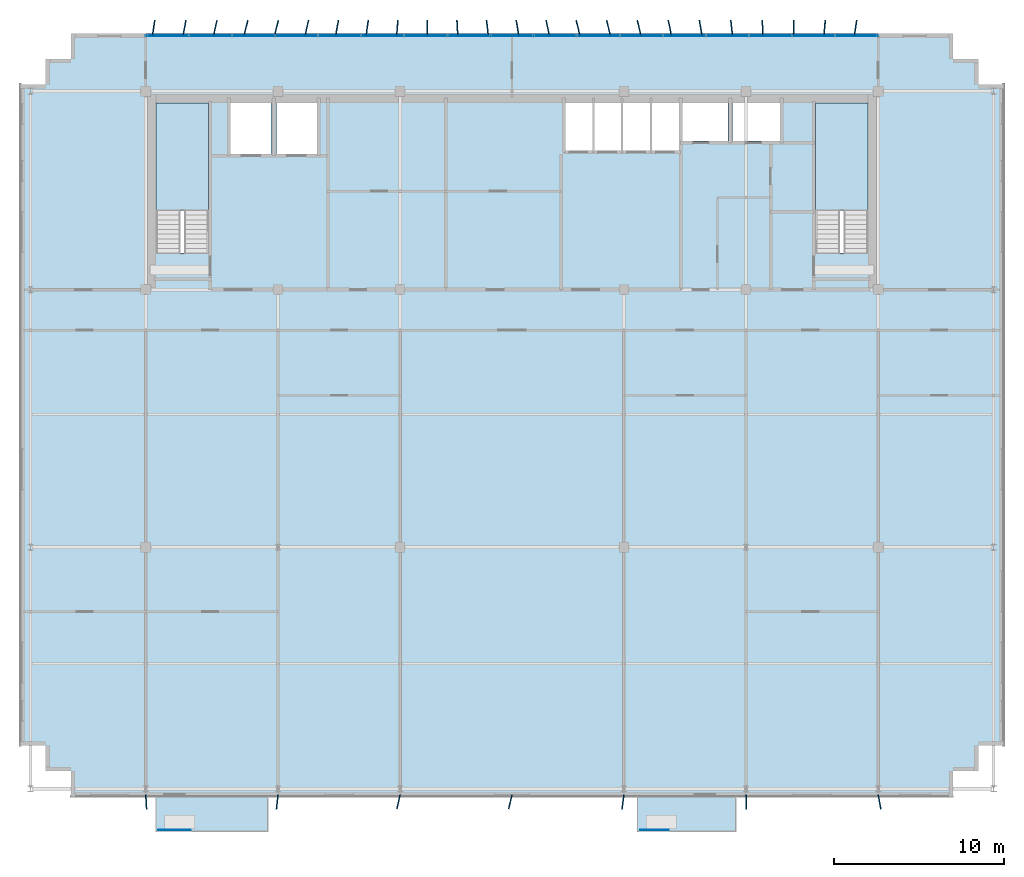
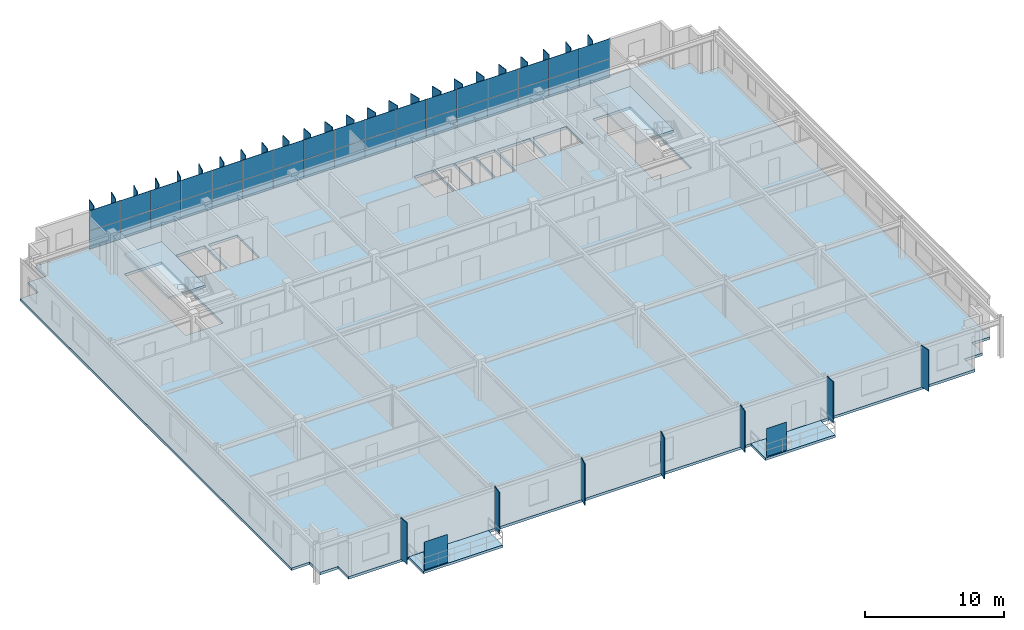
# One storey, part 15 of 21: 67 plates, 5 slabs, 3 elements without a shape of their own.
"""IFC4 building model written with IfcOpenShell, lengths in metres."""

from ifc_helpers import new_model, si_unit, direction, frame, origin, origin_2d, place, context, subcontext, project, spatial, polyline, rectangle, outline, extrude, source, transform, mapped, material, layer, layer_set, type_object, element, aggregate, save


model = new_model("IFC4")

# Units and contexts
model_context = context("Model", 3, precision=1e-05, world=origin(), true_north=direction((0.0, 1.0)))
body_context = subcontext(model_context, "Body", "Model", "MODEL_VIEW")
ifc_project = project(units=[si_unit("LENGTHUNIT", "METRE"), si_unit("AREAUNIT", "SQUARE_METRE"), si_unit("VOLUMEUNIT", "CUBIC_METRE"), si_unit("PLANEANGLEUNIT", "RADIAN"), si_unit("MASSUNIT", "GRAM", prefix="KILO")], contexts=[model_context])

# Site, building, storey
site_placement = place(None, origin())
site = spatial("IfcSite", under=ifc_project, at=site_placement, CompositionType="ELEMENT")
building_placement = place(site_placement, origin())
building = spatial("IfcBuilding", under=site, at=building_placement, Name="Trelvane Seafront Commons", CompositionType="ELEMENT")
storey_placement = place(building_placement, frame((0.0, 0.0, 252.300048828125)))
storey = spatial("IfcBuildingStorey", under=building, at=storey_placement, Name="L65", CompositionType="ELEMENT", Elevation=252.300048828125)

# Slabs
ifc_material_1 = material(Name="Concrete C40/50", Category="concrete")
ifc_layer_1 = layer(ifc_material_1, 0.219970703125, Name="ARCH-BALC-220")
ifc_layer_set_1 = layer_set([ifc_layer_1], Name="Concrete C40/50")
slab_type_1 = type_object("IfcSlabType", Name="ARCH-BALC-220", PredefinedType="FLOOR", material=ifc_layer_set_1)
slab_1_placement = place(storey_placement, frame((0.0, 0.0, -0.219970703125)))
element("IfcSlab", 1, at=slab_1_placement, inside=storey, type_object=slab_type_1, Name="L65 Cantilevered Tree Balcony Loggia 1", PredefinedType="FLOOR", context=body_context, shape_type="SweptSolid", body=[
    extrude(outline(polyline([(16.199951171875, 1.39990234375), (22.800048828125, 1.39990234375), (22.800048828125, 3.5), (16.199951171875, 3.5), (16.199951171875, 1.39990234375)])), origin(), (0.0, 0.0, 1.0), 0.219970703125),
])
slab_2_placement = place(storey_placement, frame((0.0, 0.0, -0.219970703125)))
element("IfcSlab", 2, at=slab_2_placement, inside=storey, type_object=slab_type_1, Name="L65 Cantilevered Tree Balcony Loggia 2", PredefinedType="FLOOR", context=body_context, shape_type="SweptSolid", body=[
    extrude(outline(polyline([(44.60009765625, 1.39990234375), (50.39990234375, 1.39990234375), (50.39990234375, 3.5), (44.60009765625, 3.5), (44.60009765625, 1.39990234375)])), origin(), (0.0, 0.0, 1.0), 0.219970703125),
])

# Stair, slab
stair_type_1 = type_object("IfcStairType", Name="ARCH-STR-ST-1-R20-180", PredefinedType="HALF_TURN_STAIR", material=ifc_material_1)
stair_1_placement = place(storey_placement, origin())
stair_1 = element("IfcStair", 3, at=stair_1_placement, inside=storey, type_object=stair_type_1, Name="L65 West Protected Firefighting Exit Stair ST-1", PredefinedType="HALF_TURN_STAIR")
ifc_layer_2 = layer(ifc_material_1, 0.199951171875, Name="ARCH-LND-200")
ifc_layer_set_2 = layer_set([ifc_layer_2], Name="Concrete C40/50")
slab_type_2 = type_object("IfcSlabType", Name="ARCH-LND-200", PredefinedType="LANDING", material=ifc_layer_set_2)
slab_3_placement = place(storey_placement, frame((0.0, 0.0, 1.599853515625)))
slab_3 = element("IfcSlab", 4, at=slab_3_placement, type_object=slab_type_2, Name="ST-1 landing 1", PredefinedType="LANDING", context=body_context, shape_type="SweptSolid", body=[
    extrude(outline(polyline([(19.300048828125, 38.070068359375), (19.300048828125, 44.39990234375), (16.199951171875, 44.39990234375), (16.199951171875, 38.070068359375), (19.300048828125, 38.070068359375)])), origin(), (0.0, 0.0, 1.0), 0.2001953125),
])
aggregate(stair_1, [slab_3])

stair_type_2 = type_object("IfcStairType", Name="ARCH-STR-ST-2-R20-180", PredefinedType="HALF_TURN_STAIR", material=ifc_material_1)
stair_2_placement = place(storey_placement, origin())
stair_2 = element("IfcStair", 5, at=stair_2_placement, inside=storey, type_object=stair_type_2, Name="L65 East Protected Firefighting Exit Stair ST-2", PredefinedType="HALF_TURN_STAIR")
slab_4_placement = place(storey_placement, frame((0.0, 0.0, 1.599853515625)))
slab_4 = element("IfcSlab", 6, at=slab_4_placement, type_object=slab_type_2, Name="ST-2 landing 1", PredefinedType="LANDING", context=body_context, shape_type="SweptSolid", body=[
    extrude(outline(polyline([(58.199951171875, 38.070068359375), (58.199951171875, 44.39990234375), (55.10009765625, 44.39990234375), (55.10009765625, 38.070068359375), (58.199951171875, 38.070068359375)])), origin(), (0.0, 0.0, 1.0), 0.2001953125),
])
aggregate(stair_2, [slab_4])

# Slab
ifc_material_2 = material(Name="Concrete C50/60", Category="concrete")
ifc_layer_3 = layer(ifc_material_2, 0.22998046875, Name="STR-SLB-Z5-230")
ifc_layer_set_3 = layer_set([ifc_layer_3], Name="Concrete C50/60")
slab_type_3 = type_object("IfcSlabType", Name="STR-SLB-Z5-230", PredefinedType="FLOOR", material=ifc_layer_set_3)
slab_5_placement = place(storey_placement, frame((0.0, 0.0, -0.22998046875)))
element("IfcSlab", 7, at=slab_5_placement, inside=storey, type_object=slab_type_3, Name="L65 Structural Floor Slab", PredefinedType="FLOOR", context=body_context, shape_type="SweptSolid", body=[
    extrude(outline(polyline([(11.199951171875, 3.5), (63.199951171875, 3.5), (63.199951171875, 5.0), (64.699951171875, 5.0), (64.699951171875, 6.5), (66.199951171875, 6.5), (66.199951171875, 45.5), (64.699951171875, 45.5), (64.699951171875, 47.0), (63.199951171875, 47.0), (63.199951171875, 48.5), (11.199951171875, 48.5), (11.199951171875, 47.0), (9.699951171875, 47.0), (9.699951171875, 45.5), (8.199951171875, 45.5), (8.199951171875, 6.5), (9.699951171875, 6.5), (9.699951171875, 5.0), (11.199951171875, 5.0), (11.199951171875, 3.5)]), holes=[polyline([(19.300048828125, 35.550048828125), (16.199951171875, 35.550048828125), (16.199951171875, 44.39990234375), (19.300048828125, 44.39990234375), (19.300048828125, 35.550048828125)]), polyline([(58.199951171875, 35.550048828125), (55.10009765625, 35.550048828125), (55.10009765625, 44.39990234375), (58.199951171875, 44.39990234375), (58.199951171875, 35.550048828125)]), polyline([(23.0, 41.39990234375), (20.60009765625, 41.39990234375), (20.60009765625, 44.60009765625), (23.0, 44.60009765625), (23.0, 41.39990234375)]), polyline([(23.300048828125, 41.39990234375), (23.300048828125, 44.60009765625), (25.699951171875, 44.60009765625), (25.699951171875, 41.39990234375), (23.300048828125, 41.39990234375)]), polyline([(40.35009765625, 41.60009765625), (40.35009765625, 44.60009765625), (41.969970703125, 44.60009765625), (41.969970703125, 41.60009765625), (40.35009765625, 41.60009765625)]), polyline([(43.669921875, 41.60009765625), (42.050048828125, 41.60009765625), (42.050048828125, 44.60009765625), (43.669921875, 44.60009765625), (43.669921875, 41.60009765625)]), polyline([(45.3701171875, 41.60009765625), (43.75, 41.60009765625), (43.75, 44.60009765625), (45.3701171875, 44.60009765625), (45.3701171875, 41.60009765625)]), polyline([(47.070068359375, 41.60009765625), (45.449951171875, 41.60009765625), (45.449951171875, 44.60009765625), (47.070068359375, 44.60009765625), (47.070068359375, 41.60009765625)]), polyline([(47.25, 42.14990234375), (47.25, 44.550048828125), (49.949951171875, 44.550048828125), (49.949951171875, 42.14990234375), (47.25, 42.14990234375)]), polyline([(50.199951171875, 42.14990234375), (50.199951171875, 44.550048828125), (53.0, 44.550048828125), (53.0, 42.14990234375), (50.199951171875, 42.14990234375)])]), origin(), (0.0, 0.0, 1.0), 0.22998046875),
])

# Plates
ifc_material_3 = material(Name="Perforated anodised aluminium screen", Category="aluminium")
ifc_layer_4 = layer(ifc_material_3, 0.01611328125, Name="ARCH-PLATE-SCREEN")
ifc_layer_set_4 = layer_set([ifc_layer_4], Name="Perforated anodised aluminium screen")
plate_type_1 = type_object("IfcPlateType", Name="ARCH-PLATE-SCREEN", PredefinedType="USERDEFINED", material=ifc_layer_set_4)
shared_shape_1 = source(origin(), body_context, "Body", "SweptSolid", [
    extrude(rectangle(XDim=1.9140625, YDim=0.01611328125, at=origin_2d()), origin(), (0.0, 0.0, 1.0), 2.449951171875),
])
plate_1_placement = place(storey_placement, frame((17.306884765625, 1.52001953125, 0.0), z_axis=(0.0, 0.0, 1.0), x_axis=(1.0, 0.0, 0.0)))
element("IfcPlate", 8, at=plate_1_placement, inside=storey, type_object=plate_type_1, Name="SCR-L65-00225", ObjectType="SCREEN", PredefinedType="USERDEFINED", context=body_context, shape_type="MappedRepresentation", body=[
    mapped(shared_shape_1, transform((0.0, 0.0, 0.0), x_axis=(1.0, 0.0, 0.0), y_axis=(0.0, 1.0, 0.0), z_axis=(0.0, 0.0, 1.0), scale=1.0)),
])
shared_shape_2 = source(origin(), body_context, "Body", "SweptSolid", [
    extrude(rectangle(XDim=1.681884765625, YDim=0.01611328125, at=origin_2d()), origin(), (0.0, 0.0, 1.0), 2.449951171875),
])
plate_2_placement = place(storey_placement, frame((45.591064453125, 1.52001953125, 0.0), z_axis=(0.0, 0.0, 1.0), x_axis=(1.0, 0.0, 0.0)))
element("IfcPlate", 9, at=plate_2_placement, inside=storey, type_object=plate_type_1, Name="SCR-L65-00226", ObjectType="SCREEN", PredefinedType="USERDEFINED", context=body_context, shape_type="MappedRepresentation", body=[
    mapped(shared_shape_2, transform((0.0, 0.0, 0.0), x_axis=(1.0, 0.0, 0.0), y_axis=(0.0, 1.0, 0.0), z_axis=(0.0, 0.0, 1.0), scale=1.0)),
])
ifc_material_4 = material(Name="Anodised pale-silver aluminium", Category="aluminium")
ifc_layer_5 = layer(ifc_material_4, 0.06005859375, Name="ARCH-PLATE-FIN900")
ifc_layer_set_5 = layer_set([ifc_layer_5], Name="Anodised pale-silver aluminium")
plate_type_2 = type_object("IfcPlateType", Name="ARCH-PLATE-FIN900", PredefinedType="USERDEFINED", material=ifc_layer_set_5)
shared_shape_3 = source(origin(), body_context, "Body", "SweptSolid", [
    extrude(rectangle(XDim=0.89990234375, YDim=0.06005859375, at=origin_2d()), origin(), (0.0, 0.0, 1.0), 3.639892578125),
])
for number, where, z_axis, x_axis, name in (
    (10, (16.06494140625, 48.84521484375, -0.02001953125), (0.0, 0.0, 1.0), (0.144221489896, 0.989545431929, 0.0), "FIN-L65-01787"),
    (11, (17.885986328125, 48.841796875, -0.02001953125), (0.0, 0.0, 1.0), (0.191220161658, 0.981547171447, 0.0), "FIN-L65-01788"),
    (12, (19.70068359375, 48.83837890625, -0.02001953125), (0.0, 0.0, 1.0), (0.224007117856, 0.974587508205, 0.0), "FIN-L65-01789"),
    (13, (21.50830078125, 48.8369140625, -0.02001953125), (0.0, 0.0, 1.0), (0.240338165223, 0.970689222325, 0.0), "FIN-L65-01790"),
    (14, (23.3076171875, 48.8369140625, -0.02001953125), (0.0, 0.0, 1.0), (0.239109698229, 0.970992560328, 0.0), "FIN-L65-01791"),
    (15, (25.09912109375, 48.8388671875, -0.02001953125), (0.0, 0.0, 1.0), (0.220435273856, 0.975401604489, 0.0), "FIN-L65-01792"),
    (16, (26.883544921875, 48.84228515625, -0.02001953125), (0.0, 0.0, 1.0), (0.185549995244, 0.982634824981, 0.0), "FIN-L65-01793"),
    (17, (28.66162109375, 48.845703125, -0.02001953125), (0.0, 0.0, 1.0), (0.136659643597, 0.990618060512, 0.0), "FIN-L65-01794"),
    (18, (30.434814453125, 48.8486328125, -0.02001953125), (0.0, 0.0, 1.0), (0.07733329895, 0.997005296312, 0.0), "FIN-L65-01795"),
    (19, (32.205322265625, 48.849853515625, -0.02001953125), (0.0, 0.0, 1.0), (0.012000595875, 0.999927990257, 0.0), "FIN-L65-01796"),
    (20, (33.9755859375, 48.849365234375, -0.02001953125), (0.0, 0.0, 1.0), (-0.05421997724, 0.998529015136, 0.0), "FIN-L65-01797"),
    (21, (35.747802734375, 48.846923828125, -0.02001953125), (0.0, 0.0, 1.0), (-0.11622177206, 0.993223287936, 0.0), "FIN-L65-01798"),
    (22, (37.523681640625, 48.843505859375, -0.02001953125), (0.0, 0.0, 1.0), (-0.16933402275, 0.985558719072, 0.0), "FIN-L65-01799"),
    (23, (39.3056640625, 48.840087890625, -0.02001953125), (0.0, 0.0, 1.0), (-0.209558833134, 0.977796039804, 0.0), "FIN-L65-01800"),
    (24, (41.094482421875, 48.83740234375, -0.02001953125), (0.0, 0.0, 1.0), (-0.234343033126, 0.97215397074, 0.0), "FIN-L65-01801"),
    (25, (42.89111328125, 48.836669921875, -0.02001953125), (0.0, 0.0, 1.0), (-0.241881251735, 0.970305859025, 0.0), "FIN-L65-01802"),
    (26, (44.69580078125, 48.837646484375, -0.02001953125), (0.0, 0.0, 1.0), (-0.231880330854, 0.972744320036, 0.0), "FIN-L65-01803"),
    (27, (46.5078125, 48.840576171875, -0.02001953125), (0.0, 0.0, 1.0), (-0.204890686211, 0.978784862319, 0.0), "FIN-L65-01804"),
    (28, (48.326904296875, 48.843994140625, -0.02001953125), (0.0, 0.0, 1.0), (-0.162668162768, 0.986680834324, 0.0), "FIN-L65-01805"),
    (29, (50.1513671875, 48.847412109375, -0.02001953125), (0.0, 0.0, 1.0), (-0.108113872959, 0.994138516744, 0.0), "FIN-L65-01806"),
    (30, (51.979736328125, 48.849609375, -0.02001953125), (0.0, 0.0, 1.0), (-0.045110174458, 0.998982017936, 0.0), "FIN-L65-01807"),
    (31, (53.8095703125, 48.849853515625, -0.02001953125), (0.0, 0.0, 1.0), (0.021333286283, 0.999772419552, 0.0), "FIN-L65-01808"),
    (32, (55.638916015625, 48.848388671875, -0.02001953125), (0.0, 0.0, 1.0), (0.086107265962, 0.996285872001, 0.0), "FIN-L65-01809"),
    (33, (57.46484375, 48.84521484375, -0.02001953125), (0.0, 0.0, 1.0), (0.144221489896, 0.989545431929, 0.0), "FIN-L65-01810"),
):
    element("IfcPlate", number, at=place(storey_placement, frame(where, z_axis=z_axis, x_axis=x_axis)), inside=storey, type_object=plate_type_2, Name=name, ObjectType="FIN", PredefinedType="USERDEFINED", context=body_context, shape_type="MappedRepresentation", body=[
        mapped(shared_shape_3, transform((0.0, 0.0, 0.0), x_axis=(1.0, 0.0, 0.0), y_axis=(0.0, 1.0, 0.0), z_axis=(0.0, 0.0, 1.0), scale=1.0)),
    ])
shared_shape_4 = source(origin(), body_context, "Body", "SweptSolid", [
    extrude(rectangle(XDim=0.85009765625, YDim=0.06005859375, at=origin_2d()), origin(), (0.0, 0.0, 1.0), 3.639892578125),
])
for number, where, z_axis, x_axis, name in (
    (34, (15.62451171875, 3.17578125, -0.02001953125), (0.0, 0.0, 1.0), (0.057412434436, -0.998350545837, 0.0), "FIN-S-L65-01811"),
    (35, (30.505615234375, 3.185546875, -0.02001953125), (0.0, 0.0, 1.0), (-0.222470858883, -0.974939340138, 0.0), "FIN-S-L65-01813"),
    (36, (37.101318359375, 3.1865234375, -0.02001953125), (0.0, 0.0, 1.0), (-0.231890517396, -0.972741891738, 0.0), "FIN-S-L65-01814"),
    (37, (43.743408203125, 3.1787109375, -0.02001953125), (0.0, 0.0, 1.0), (-0.133296045791, -0.99107626557, 0.0), "FIN-S-L65-01815"),
    (38, (51.0126953125, 3.17529296875, -0.02001953125), (0.0, 0.0, 1.0), (0.029530168048, -0.999563889491, 0.0), "FIN-S-L65-01816"),
    (39, (58.87548828125, 3.181884765625, -0.02001953125), (0.0, 0.0, 1.0), (0.17789202098, -0.9840500134, 0.0), "FIN-S-L65-01817"),
):
    element("IfcPlate", number, at=place(storey_placement, frame(where, z_axis=z_axis, x_axis=x_axis)), inside=storey, type_object=plate_type_2, Name=name, ObjectType="FIN", PredefinedType="USERDEFINED", context=body_context, shape_type="MappedRepresentation", body=[
        mapped(shared_shape_4, transform((0.0, 0.0, 0.0), x_axis=(1.0, 0.0, 0.0), y_axis=(0.0, 1.0, 0.0), z_axis=(0.0, 0.0, 1.0), scale=1.0)),
    ])
shared_shape_5 = source(origin(), body_context, "Body", "SweptSolid", [
    extrude(rectangle(XDim=0.849853515625, YDim=0.06005859375, at=origin_2d()), origin(), (0.0, 0.0, 1.0), 3.639892578125),
])
plate_3_placement = place(storey_placement, frame((23.353759765625, 3.177490234375, -0.02001953125), z_axis=(0.0, 0.0, 1.0), x_axis=(-0.108830440711, -0.994060327734, 0.0)))
element("IfcPlate", 40, at=plate_3_placement, inside=storey, type_object=plate_type_2, Name="FIN-S-L65-01812", ObjectType="FIN", PredefinedType="USERDEFINED", context=body_context, shape_type="MappedRepresentation", body=[
    mapped(shared_shape_5, transform((0.0, 0.0, 0.0), x_axis=(1.0, 0.0, 0.0), y_axis=(0.0, 1.0, 0.0), z_axis=(0.0, 0.0, 1.0), scale=1.0)),
])

# Curtain wall, plates
curtain_wall_type = type_object("IfcCurtainWallType", Name="ARCH-CW5-UPTOWER", PredefinedType="NOTDEFINED", material=ifc_material_4)
curtain_wall_placement = place(storey_placement, origin())
curtain_wall = element("IfcCurtainWall", 41, at=curtain_wall_placement, inside=storey, type_object=curtain_wall_type, Name="CW-L65-0109", PredefinedType="NOTDEFINED")
ifc_material_5 = material(Name="Low-E coastal double glazing", Category="glass")
ifc_layer_6 = layer(ifc_material_5, 0.033935546875, Name="ARCH-CW-GLAZ-34")
ifc_layer_set_6 = layer_set([ifc_layer_6], Name="Low-E coastal double glazing")
plate_type_3 = type_object("IfcPlateType", Name="ARCH-CW-GLAZ-34", PredefinedType="CURTAIN_PANEL", material=ifc_layer_set_6)
shared_shape_6 = source(origin(), body_context, "Body", "SweptSolid", [
    extrude(rectangle(XDim=2.51708984375, YDim=0.033935546875, at=origin_2d()), origin(), (0.0, 0.0, 1.0), 1.60009765625),
])
plate_4_placement = place(storey_placement, frame((16.87060546875, 48.3701171875, 0.0), z_axis=(0.0, 0.0, 1.0), x_axis=(1.0, 0.0, 0.0)))
plate_4 = element("IfcPlate", 42, at=plate_4_placement, type_object=plate_type_3, Name="CW-L65-0109-P00-1", PredefinedType="CURTAIN_PANEL", context=body_context, shape_type="MappedRepresentation", body=[
    mapped(shared_shape_6, transform((0.0, 0.0, 0.0), x_axis=(1.0, 0.0, 0.0), y_axis=(0.0, 1.0, 0.0), z_axis=(0.0, 0.0, 1.0), scale=1.0)),
])
plate_5_placement = place(storey_placement, frame((19.411865234375, 48.3701171875, 0.0), z_axis=(0.0, 0.0, 1.0), x_axis=(1.0, 0.0, 0.0)))
plate_5 = element("IfcPlate", 43, at=plate_5_placement, type_object=plate_type_3, Name="CW-L65-0109-P01-1", PredefinedType="CURTAIN_PANEL", context=body_context, shape_type="MappedRepresentation", body=[
    mapped(shared_shape_6, transform((0.0, 0.0, 0.0), x_axis=(1.0, 0.0, 0.0), y_axis=(0.0, 1.0, 0.0), z_axis=(0.0, 0.0, 1.0), scale=1.0)),
])
plate_6_placement = place(storey_placement, frame((21.952880859375, 48.3701171875, 0.0), z_axis=(0.0, 0.0, 1.0), x_axis=(1.0, 0.0, 0.0)))
plate_6 = element("IfcPlate", 44, at=plate_6_placement, type_object=plate_type_3, Name="CW-L65-0109-P02-1", PredefinedType="CURTAIN_PANEL", context=body_context, shape_type="MappedRepresentation", body=[
    mapped(shared_shape_6, transform((0.0, 0.0, 0.0), x_axis=(1.0, 0.0, 0.0), y_axis=(0.0, 1.0, 0.0), z_axis=(0.0, 0.0, 1.0), scale=1.0)),
])
plate_7_placement = place(storey_placement, frame((24.494140625, 48.3701171875, 0.0), z_axis=(0.0, 0.0, 1.0), x_axis=(1.0, 0.0, 0.0)))
plate_7 = element("IfcPlate", 45, at=plate_7_placement, type_object=plate_type_3, Name="CW-L65-0109-P03-1", PredefinedType="CURTAIN_PANEL", context=body_context, shape_type="MappedRepresentation", body=[
    mapped(shared_shape_6, transform((0.0, 0.0, 0.0), x_axis=(1.0, 0.0, 0.0), y_axis=(0.0, 1.0, 0.0), z_axis=(0.0, 0.0, 1.0), scale=1.0)),
])
plate_8_placement = place(storey_placement, frame((27.035400390625, 48.3701171875, 0.0), z_axis=(0.0, 0.0, 1.0), x_axis=(1.0, 0.0, 0.0)))
plate_8 = element("IfcPlate", 46, at=plate_8_placement, type_object=plate_type_3, Name="CW-L65-0109-P04-1", PredefinedType="CURTAIN_PANEL", context=body_context, shape_type="MappedRepresentation", body=[
    mapped(shared_shape_6, transform((0.0, 0.0, 0.0), x_axis=(1.0, 0.0, 0.0), y_axis=(0.0, 1.0, 0.0), z_axis=(0.0, 0.0, 1.0), scale=1.0)),
])
plate_9_placement = place(storey_placement, frame((29.576416015625, 48.3701171875, 0.0), z_axis=(0.0, 0.0, 1.0), x_axis=(1.0, 0.0, 0.0)))
plate_9 = element("IfcPlate", 47, at=plate_9_placement, type_object=plate_type_3, Name="CW-L65-0109-P05-1", PredefinedType="CURTAIN_PANEL", context=body_context, shape_type="MappedRepresentation", body=[
    mapped(shared_shape_6, transform((0.0, 0.0, 0.0), x_axis=(1.0, 0.0, 0.0), y_axis=(0.0, 1.0, 0.0), z_axis=(0.0, 0.0, 1.0), scale=1.0)),
])
plate_10_placement = place(storey_placement, frame((32.11767578125, 48.3701171875, 0.0), z_axis=(0.0, 0.0, 1.0), x_axis=(1.0, 0.0, 0.0)))
plate_10 = element("IfcPlate", 48, at=plate_10_placement, type_object=plate_type_3, Name="CW-L65-0109-P06-1", PredefinedType="CURTAIN_PANEL", context=body_context, shape_type="MappedRepresentation", body=[
    mapped(shared_shape_6, transform((0.0, 0.0, 0.0), x_axis=(1.0, 0.0, 0.0), y_axis=(0.0, 1.0, 0.0), z_axis=(0.0, 0.0, 1.0), scale=1.0)),
])
plate_11_placement = place(storey_placement, frame((34.65869140625, 48.3701171875, 0.0), z_axis=(0.0, 0.0, 1.0), x_axis=(1.0, 0.0, 0.0)))
plate_11 = element("IfcPlate", 49, at=plate_11_placement, type_object=plate_type_3, Name="CW-L65-0109-P07-1", PredefinedType="CURTAIN_PANEL", context=body_context, shape_type="MappedRepresentation", body=[
    mapped(shared_shape_6, transform((0.0, 0.0, 0.0), x_axis=(1.0, 0.0, 0.0), y_axis=(0.0, 1.0, 0.0), z_axis=(0.0, 0.0, 1.0), scale=1.0)),
])
plate_12_placement = place(storey_placement, frame((37.199951171875, 48.3701171875, 0.0), z_axis=(0.0, 0.0, 1.0), x_axis=(1.0, 0.0, 0.0)))
plate_12 = element("IfcPlate", 50, at=plate_12_placement, type_object=plate_type_3, Name="CW-L65-0109-P08-1", PredefinedType="CURTAIN_PANEL", context=body_context, shape_type="MappedRepresentation", body=[
    mapped(shared_shape_6, transform((0.0, 0.0, 0.0), x_axis=(1.0, 0.0, 0.0), y_axis=(0.0, 1.0, 0.0), z_axis=(0.0, 0.0, 1.0), scale=1.0)),
])
plate_13_placement = place(storey_placement, frame((39.7412109375, 48.3701171875, 0.0), z_axis=(0.0, 0.0, 1.0), x_axis=(1.0, 0.0, 0.0)))
plate_13 = element("IfcPlate", 51, at=plate_13_placement, type_object=plate_type_3, Name="CW-L65-0109-P09-1", PredefinedType="CURTAIN_PANEL", context=body_context, shape_type="MappedRepresentation", body=[
    mapped(shared_shape_6, transform((0.0, 0.0, 0.0), x_axis=(1.0, 0.0, 0.0), y_axis=(0.0, 1.0, 0.0), z_axis=(0.0, 0.0, 1.0), scale=1.0)),
])
plate_14_placement = place(storey_placement, frame((42.282470703125, 48.3701171875, 0.0), z_axis=(0.0, 0.0, 1.0), x_axis=(1.0, 0.0, 0.0)))
plate_14 = element("IfcPlate", 52, at=plate_14_placement, type_object=plate_type_3, Name="CW-L65-0109-P10-1", PredefinedType="CURTAIN_PANEL", context=body_context, shape_type="MappedRepresentation", body=[
    mapped(shared_shape_6, transform((0.0, 0.0, 0.0), x_axis=(1.0, 0.0, 0.0), y_axis=(0.0, 1.0, 0.0), z_axis=(0.0, 0.0, 1.0), scale=1.0)),
])
plate_15_placement = place(storey_placement, frame((44.823486328125, 48.3701171875, 0.0), z_axis=(0.0, 0.0, 1.0), x_axis=(1.0, 0.0, 0.0)))
plate_15 = element("IfcPlate", 53, at=plate_15_placement, type_object=plate_type_3, Name="CW-L65-0109-P11-1", PredefinedType="CURTAIN_PANEL", context=body_context, shape_type="MappedRepresentation", body=[
    mapped(shared_shape_6, transform((0.0, 0.0, 0.0), x_axis=(1.0, 0.0, 0.0), y_axis=(0.0, 1.0, 0.0), z_axis=(0.0, 0.0, 1.0), scale=1.0)),
])
plate_16_placement = place(storey_placement, frame((47.36474609375, 48.3701171875, 0.0), z_axis=(0.0, 0.0, 1.0), x_axis=(1.0, 0.0, 0.0)))
plate_16 = element("IfcPlate", 54, at=plate_16_placement, type_object=plate_type_3, Name="CW-L65-0109-P12-1", PredefinedType="CURTAIN_PANEL", context=body_context, shape_type="MappedRepresentation", body=[
    mapped(shared_shape_6, transform((0.0, 0.0, 0.0), x_axis=(1.0, 0.0, 0.0), y_axis=(0.0, 1.0, 0.0), z_axis=(0.0, 0.0, 1.0), scale=1.0)),
])
plate_17_placement = place(storey_placement, frame((49.906005859375, 48.3701171875, 0.0), z_axis=(0.0, 0.0, 1.0), x_axis=(1.0, 0.0, 0.0)))
plate_17 = element("IfcPlate", 55, at=plate_17_placement, type_object=plate_type_3, Name="CW-L65-0109-P13-1", PredefinedType="CURTAIN_PANEL", context=body_context, shape_type="MappedRepresentation", body=[
    mapped(shared_shape_6, transform((0.0, 0.0, 0.0), x_axis=(1.0, 0.0, 0.0), y_axis=(0.0, 1.0, 0.0), z_axis=(0.0, 0.0, 1.0), scale=1.0)),
])
plate_18_placement = place(storey_placement, frame((52.447021484375, 48.3701171875, 0.0), z_axis=(0.0, 0.0, 1.0), x_axis=(1.0, 0.0, 0.0)))
plate_18 = element("IfcPlate", 56, at=plate_18_placement, type_object=plate_type_3, Name="CW-L65-0109-P14-1", PredefinedType="CURTAIN_PANEL", context=body_context, shape_type="MappedRepresentation", body=[
    mapped(shared_shape_6, transform((0.0, 0.0, 0.0), x_axis=(1.0, 0.0, 0.0), y_axis=(0.0, 1.0, 0.0), z_axis=(0.0, 0.0, 1.0), scale=1.0)),
])
plate_19_placement = place(storey_placement, frame((54.98828125, 48.3701171875, 0.0), z_axis=(0.0, 0.0, 1.0), x_axis=(1.0, 0.0, 0.0)))
plate_19 = element("IfcPlate", 57, at=plate_19_placement, type_object=plate_type_3, Name="CW-L65-0109-P15-1", PredefinedType="CURTAIN_PANEL", context=body_context, shape_type="MappedRepresentation", body=[
    mapped(shared_shape_6, transform((0.0, 0.0, 0.0), x_axis=(1.0, 0.0, 0.0), y_axis=(0.0, 1.0, 0.0), z_axis=(0.0, 0.0, 1.0), scale=1.0)),
])
plate_20_placement = place(storey_placement, frame((57.529296875, 48.3701171875, 0.0), z_axis=(0.0, 0.0, 1.0), x_axis=(1.0, 0.0, 0.0)))
plate_20 = element("IfcPlate", 58, at=plate_20_placement, type_object=plate_type_3, Name="CW-L65-0109-P16-1", PredefinedType="CURTAIN_PANEL", context=body_context, shape_type="MappedRepresentation", body=[
    mapped(shared_shape_6, transform((0.0, 0.0, 0.0), x_axis=(1.0, 0.0, 0.0), y_axis=(0.0, 1.0, 0.0), z_axis=(0.0, 0.0, 1.0), scale=1.0)),
])
shared_shape_7 = source(origin(), body_context, "Body", "SweptSolid", [
    extrude(rectangle(XDim=2.51708984375, YDim=0.033935546875, at=origin_2d()), origin(), (0.0, 0.0, 1.0), 1.73388671875),
])
plate_21_placement = place(storey_placement, frame((16.87060546875, 48.3701171875, 1.635986328125), z_axis=(0.0, 0.0, 1.0), x_axis=(1.0, 0.0, 0.0)))
plate_21 = element("IfcPlate", 59, at=plate_21_placement, type_object=plate_type_3, Name="CW-L65-0109-P00-2", PredefinedType="CURTAIN_PANEL", context=body_context, shape_type="MappedRepresentation", body=[
    mapped(shared_shape_7, transform((0.0, 0.0, 0.0), x_axis=(1.0, 0.0, 0.0), y_axis=(0.0, 1.0, 0.0), z_axis=(0.0, 0.0, 1.0), scale=1.0)),
])
plate_22_placement = place(storey_placement, frame((19.411865234375, 48.3701171875, 1.635986328125), z_axis=(0.0, 0.0, 1.0), x_axis=(1.0, 0.0, 0.0)))
plate_22 = element("IfcPlate", 60, at=plate_22_placement, type_object=plate_type_3, Name="CW-L65-0109-P01-2", PredefinedType="CURTAIN_PANEL", context=body_context, shape_type="MappedRepresentation", body=[
    mapped(shared_shape_7, transform((0.0, 0.0, 0.0), x_axis=(1.0, 0.0, 0.0), y_axis=(0.0, 1.0, 0.0), z_axis=(0.0, 0.0, 1.0), scale=1.0)),
])
plate_23_placement = place(storey_placement, frame((21.952880859375, 48.3701171875, 1.635986328125), z_axis=(0.0, 0.0, 1.0), x_axis=(1.0, 0.0, 0.0)))
plate_23 = element("IfcPlate", 61, at=plate_23_placement, type_object=plate_type_3, Name="CW-L65-0109-P02-2", PredefinedType="CURTAIN_PANEL", context=body_context, shape_type="MappedRepresentation", body=[
    mapped(shared_shape_7, transform((0.0, 0.0, 0.0), x_axis=(1.0, 0.0, 0.0), y_axis=(0.0, 1.0, 0.0), z_axis=(0.0, 0.0, 1.0), scale=1.0)),
])
plate_24_placement = place(storey_placement, frame((24.494140625, 48.3701171875, 1.635986328125), z_axis=(0.0, 0.0, 1.0), x_axis=(1.0, 0.0, 0.0)))
plate_24 = element("IfcPlate", 62, at=plate_24_placement, type_object=plate_type_3, Name="CW-L65-0109-P03-2", PredefinedType="CURTAIN_PANEL", context=body_context, shape_type="MappedRepresentation", body=[
    mapped(shared_shape_7, transform((0.0, 0.0, 0.0), x_axis=(1.0, 0.0, 0.0), y_axis=(0.0, 1.0, 0.0), z_axis=(0.0, 0.0, 1.0), scale=1.0)),
])
plate_25_placement = place(storey_placement, frame((27.035400390625, 48.3701171875, 1.635986328125), z_axis=(0.0, 0.0, 1.0), x_axis=(1.0, 0.0, 0.0)))
plate_25 = element("IfcPlate", 63, at=plate_25_placement, type_object=plate_type_3, Name="CW-L65-0109-P04-2", PredefinedType="CURTAIN_PANEL", context=body_context, shape_type="MappedRepresentation", body=[
    mapped(shared_shape_7, transform((0.0, 0.0, 0.0), x_axis=(1.0, 0.0, 0.0), y_axis=(0.0, 1.0, 0.0), z_axis=(0.0, 0.0, 1.0), scale=1.0)),
])
plate_26_placement = place(storey_placement, frame((29.576416015625, 48.3701171875, 1.635986328125), z_axis=(0.0, 0.0, 1.0), x_axis=(1.0, 0.0, 0.0)))
plate_26 = element("IfcPlate", 64, at=plate_26_placement, type_object=plate_type_3, Name="CW-L65-0109-P05-2", PredefinedType="CURTAIN_PANEL", context=body_context, shape_type="MappedRepresentation", body=[
    mapped(shared_shape_7, transform((0.0, 0.0, 0.0), x_axis=(1.0, 0.0, 0.0), y_axis=(0.0, 1.0, 0.0), z_axis=(0.0, 0.0, 1.0), scale=1.0)),
])
plate_27_placement = place(storey_placement, frame((32.11767578125, 48.3701171875, 1.635986328125), z_axis=(0.0, 0.0, 1.0), x_axis=(1.0, 0.0, 0.0)))
plate_27 = element("IfcPlate", 65, at=plate_27_placement, type_object=plate_type_3, Name="CW-L65-0109-P06-2", PredefinedType="CURTAIN_PANEL", context=body_context, shape_type="MappedRepresentation", body=[
    mapped(shared_shape_7, transform((0.0, 0.0, 0.0), x_axis=(1.0, 0.0, 0.0), y_axis=(0.0, 1.0, 0.0), z_axis=(0.0, 0.0, 1.0), scale=1.0)),
])
plate_28_placement = place(storey_placement, frame((34.65869140625, 48.3701171875, 1.635986328125), z_axis=(0.0, 0.0, 1.0), x_axis=(1.0, 0.0, 0.0)))
plate_28 = element("IfcPlate", 66, at=plate_28_placement, type_object=plate_type_3, Name="CW-L65-0109-P07-2", PredefinedType="CURTAIN_PANEL", context=body_context, shape_type="MappedRepresentation", body=[
    mapped(shared_shape_7, transform((0.0, 0.0, 0.0), x_axis=(1.0, 0.0, 0.0), y_axis=(0.0, 1.0, 0.0), z_axis=(0.0, 0.0, 1.0), scale=1.0)),
])
plate_29_placement = place(storey_placement, frame((37.199951171875, 48.3701171875, 1.635986328125), z_axis=(0.0, 0.0, 1.0), x_axis=(1.0, 0.0, 0.0)))
plate_29 = element("IfcPlate", 67, at=plate_29_placement, type_object=plate_type_3, Name="CW-L65-0109-P08-2", PredefinedType="CURTAIN_PANEL", context=body_context, shape_type="MappedRepresentation", body=[
    mapped(shared_shape_7, transform((0.0, 0.0, 0.0), x_axis=(1.0, 0.0, 0.0), y_axis=(0.0, 1.0, 0.0), z_axis=(0.0, 0.0, 1.0), scale=1.0)),
])
plate_30_placement = place(storey_placement, frame((39.7412109375, 48.3701171875, 1.635986328125), z_axis=(0.0, 0.0, 1.0), x_axis=(1.0, 0.0, 0.0)))
plate_30 = element("IfcPlate", 68, at=plate_30_placement, type_object=plate_type_3, Name="CW-L65-0109-P09-2", PredefinedType="CURTAIN_PANEL", context=body_context, shape_type="MappedRepresentation", body=[
    mapped(shared_shape_7, transform((0.0, 0.0, 0.0), x_axis=(1.0, 0.0, 0.0), y_axis=(0.0, 1.0, 0.0), z_axis=(0.0, 0.0, 1.0), scale=1.0)),
])
plate_31_placement = place(storey_placement, frame((42.282470703125, 48.3701171875, 1.635986328125), z_axis=(0.0, 0.0, 1.0), x_axis=(1.0, 0.0, 0.0)))
plate_31 = element("IfcPlate", 69, at=plate_31_placement, type_object=plate_type_3, Name="CW-L65-0109-P10-2", PredefinedType="CURTAIN_PANEL", context=body_context, shape_type="MappedRepresentation", body=[
    mapped(shared_shape_7, transform((0.0, 0.0, 0.0), x_axis=(1.0, 0.0, 0.0), y_axis=(0.0, 1.0, 0.0), z_axis=(0.0, 0.0, 1.0), scale=1.0)),
])
plate_32_placement = place(storey_placement, frame((44.823486328125, 48.3701171875, 1.635986328125), z_axis=(0.0, 0.0, 1.0), x_axis=(1.0, 0.0, 0.0)))
plate_32 = element("IfcPlate", 70, at=plate_32_placement, type_object=plate_type_3, Name="CW-L65-0109-P11-2", PredefinedType="CURTAIN_PANEL", context=body_context, shape_type="MappedRepresentation", body=[
    mapped(shared_shape_7, transform((0.0, 0.0, 0.0), x_axis=(1.0, 0.0, 0.0), y_axis=(0.0, 1.0, 0.0), z_axis=(0.0, 0.0, 1.0), scale=1.0)),
])
plate_33_placement = place(storey_placement, frame((47.36474609375, 48.3701171875, 1.635986328125), z_axis=(0.0, 0.0, 1.0), x_axis=(1.0, 0.0, 0.0)))
plate_33 = element("IfcPlate", 71, at=plate_33_placement, type_object=plate_type_3, Name="CW-L65-0109-P12-2", PredefinedType="CURTAIN_PANEL", context=body_context, shape_type="MappedRepresentation", body=[
    mapped(shared_shape_7, transform((0.0, 0.0, 0.0), x_axis=(1.0, 0.0, 0.0), y_axis=(0.0, 1.0, 0.0), z_axis=(0.0, 0.0, 1.0), scale=1.0)),
])
plate_34_placement = place(storey_placement, frame((49.906005859375, 48.3701171875, 1.635986328125), z_axis=(0.0, 0.0, 1.0), x_axis=(1.0, 0.0, 0.0)))
plate_34 = element("IfcPlate", 72, at=plate_34_placement, type_object=plate_type_3, Name="CW-L65-0109-P13-2", PredefinedType="CURTAIN_PANEL", context=body_context, shape_type="MappedRepresentation", body=[
    mapped(shared_shape_7, transform((0.0, 0.0, 0.0), x_axis=(1.0, 0.0, 0.0), y_axis=(0.0, 1.0, 0.0), z_axis=(0.0, 0.0, 1.0), scale=1.0)),
])
plate_35_placement = place(storey_placement, frame((52.447021484375, 48.3701171875, 1.635986328125), z_axis=(0.0, 0.0, 1.0), x_axis=(1.0, 0.0, 0.0)))
plate_35 = element("IfcPlate", 73, at=plate_35_placement, type_object=plate_type_3, Name="CW-L65-0109-P14-2", PredefinedType="CURTAIN_PANEL", context=body_context, shape_type="MappedRepresentation", body=[
    mapped(shared_shape_7, transform((0.0, 0.0, 0.0), x_axis=(1.0, 0.0, 0.0), y_axis=(0.0, 1.0, 0.0), z_axis=(0.0, 0.0, 1.0), scale=1.0)),
])
plate_36_placement = place(storey_placement, frame((54.98828125, 48.3701171875, 1.635986328125), z_axis=(0.0, 0.0, 1.0), x_axis=(1.0, 0.0, 0.0)))
plate_36 = element("IfcPlate", 74, at=plate_36_placement, type_object=plate_type_3, Name="CW-L65-0109-P15-2", PredefinedType="CURTAIN_PANEL", context=body_context, shape_type="MappedRepresentation", body=[
    mapped(shared_shape_7, transform((0.0, 0.0, 0.0), x_axis=(1.0, 0.0, 0.0), y_axis=(0.0, 1.0, 0.0), z_axis=(0.0, 0.0, 1.0), scale=1.0)),
])
plate_37_placement = place(storey_placement, frame((57.529296875, 48.3701171875, 1.635986328125), z_axis=(0.0, 0.0, 1.0), x_axis=(1.0, 0.0, 0.0)))
plate_37 = element("IfcPlate", 75, at=plate_37_placement, type_object=plate_type_3, Name="CW-L65-0109-P16-2", PredefinedType="CURTAIN_PANEL", context=body_context, shape_type="MappedRepresentation", body=[
    mapped(shared_shape_7, transform((0.0, 0.0, 0.0), x_axis=(1.0, 0.0, 0.0), y_axis=(0.0, 1.0, 0.0), z_axis=(0.0, 0.0, 1.0), scale=1.0)),
])
aggregate(curtain_wall, [plate_4, plate_21, plate_5, plate_22, plate_6, plate_23, plate_7, plate_24, plate_8, plate_25, plate_9, plate_26, plate_10, plate_27, plate_11, plate_28, plate_12, plate_29, plate_13, plate_30, plate_14, plate_31, plate_15, plate_32, plate_16, plate_33, plate_17, plate_34, plate_18, plate_35, plate_19, plate_36, plate_20, plate_37])

save(model, "model.ifc")
